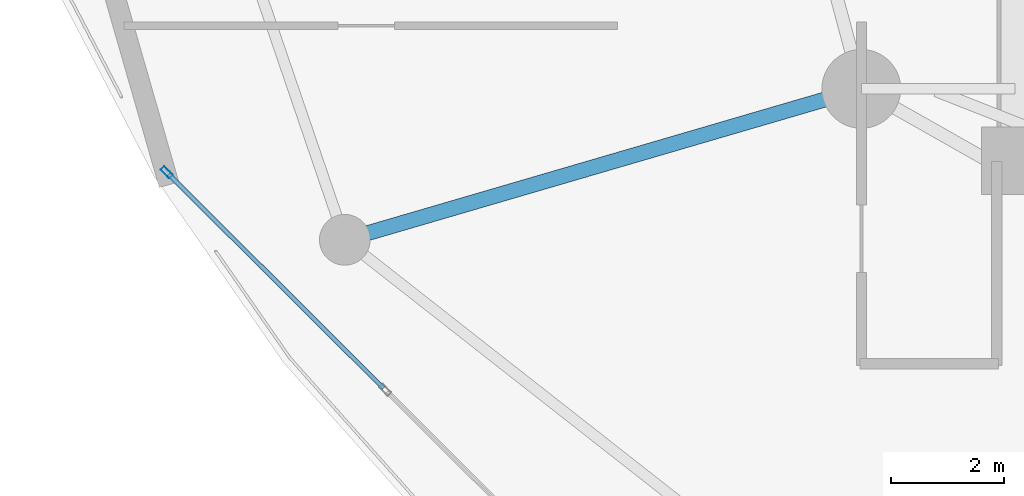
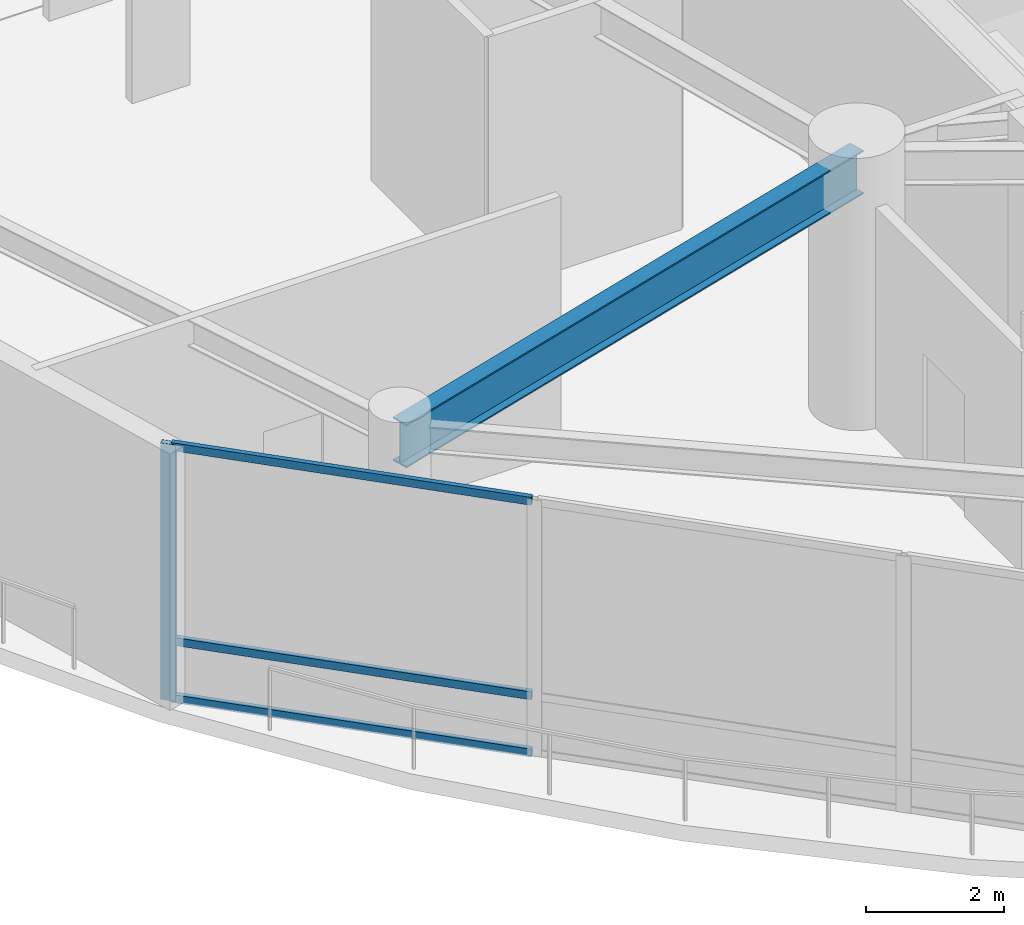
# One storey, part 4 of 40: 4 members, 1 beam, 1 element without a shape of its own.
"""IFC4 building model written with IfcOpenShell, lengths in metres."""

from ifc_helpers import new_model, si_unit, direction, frame, origin, origin_2d, place, context, subcontext, project, spatial, hollow_rectangle, i_section, extrude, material, layer, layer_set, material_profile, profile_set, type_object, element, aggregate, save


model = new_model("IFC4")

# Units and contexts
model_context = context("Model", 3, precision=1e-05, world=origin(), true_north=direction((0.0, 1.0)))
body_context = subcontext(model_context, "Body", "Model", "MODEL_VIEW")
ifc_project = project(units=[si_unit("LENGTHUNIT", "METRE"), si_unit("AREAUNIT", "SQUARE_METRE"), si_unit("VOLUMEUNIT", "CUBIC_METRE"), si_unit("PLANEANGLEUNIT", "RADIAN"), si_unit("MASSUNIT", "GRAM", prefix="KILO")], contexts=[model_context])

# Site, building, storey
site_placement = place(None, origin())
site = spatial("IfcSite", under=ifc_project, at=site_placement, CompositionType="ELEMENT")
building_placement = place(site_placement, origin())
building = spatial("IfcBuilding", under=site, at=building_placement, Name="Kazevale Care Tower and Concert Hall", CompositionType="ELEMENT")
storey_placement = place(building_placement, frame((0.0, 0.0, 4.800048828125)))
storey = spatial("IfcBuildingStorey", under=building, at=storey_placement, Name="L01", CompositionType="ELEMENT", Elevation=4.800048828125)

# Curtain wall, members
ifc_material_1 = material(Name="Aluminium 6063-T6 and Low-E Glass", Category="aluminium")
ifc_layer = layer(ifc_material_1, 0.179931640625)
ifc_layer_set = layer_set([ifc_layer], Name="Aluminium 6063-T6 and Low-E Glass")
curtain_wall_type = type_object("IfcCurtainWallType", Name="Podium Double-Skin Medical Curtain Wall CW-1", PredefinedType="NOTDEFINED", material=ifc_layer_set)
curtain_wall_placement = place(storey_placement, origin())
curtain_wall = element("IfcCurtainWall", 1, at=curtain_wall_placement, inside=storey, type_object=curtain_wall_type, Name="cw:L01:pod:09", PredefinedType="NOTDEFINED")
ifc_material_2 = material(Name="Aluminium 6063-T6", Category="aluminium")
ifc_material_profile_1 = material_profile(ifc_material_2, hollow_rectangle(XDim=0.090087890625, YDim=0.219970703125, WallThickness=0.0048828125, at=origin_2d()), Name="ALU90x220x5")
ifc_profile_set_1 = profile_set([ifc_material_profile_1], Name="Aluminium 6063-T6")
member_type_1 = type_object("IfcMemberType", Name="CW-1 Mullion ALU90x220x5", PredefinedType="MULLION", material=ifc_profile_set_1)
member_1_placement = place(storey_placement, frame((6.93896484375, 23.398193359375, 0.0), z_axis=(0.0, 0.0, 1.0), x_axis=(0.705655814257, 0.708554776856, 0.0)))
member_1 = element("IfcMember", 2, at=member_1_placement, type_object=member_type_1, Name="CW-1 mullion 1", PredefinedType="MULLION", context=body_context, shape_type="SweptSolid", body=[
    extrude(hollow_rectangle(XDim=0.090087890625, YDim=0.219970703125, WallThickness=0.0048828125, at=origin_2d()), origin(), (0.0, 0.0, 1.0), 4.52001953125),
])
ifc_material_profile_2 = material_profile(ifc_material_2, hollow_rectangle(XDim=0.080078125, YDim=0.139892578125, WallThickness=0.00390625, at=origin_2d()), Name="ALU80x140x4")
ifc_profile_set_2 = profile_set([ifc_material_profile_2], Name="Aluminium 6063-T6")
member_type_2 = type_object("IfcMemberType", Name="CW-1 Transom ALU80x140x4", PredefinedType="USERDEFINED", material=ifc_profile_set_2)
member_2_placement = place(storey_placement, frame((6.970703125, 23.366455078125, 0.0400390625), z_axis=(0.708578901075, -0.705631590103, 0.0), x_axis=(0.705631590103, 0.708578901075, 0.0)))
member_2 = element("IfcMember", 3, at=member_2_placement, type_object=member_type_2, Name="CW-1 transom 1.1", ObjectType="TRANSOM", PredefinedType="USERDEFINED", context=body_context, shape_type="SweptSolid", body=[
    extrude(hollow_rectangle(XDim=0.080078125, YDim=0.139892578125, WallThickness=0.00390625, at=origin_2d()), origin(), (0.0, 0.0, 1.0), 5.38427734375),
])
member_3_placement = place(storey_placement, frame((6.970703125, 23.366455078125, 1.050048828125), z_axis=(0.708578901075, -0.705631590103, 0.0), x_axis=(0.705631590103, 0.708578901075, 0.0)))
member_3 = element("IfcMember", 4, at=member_3_placement, type_object=member_type_2, Name="CW-1 transom 1.2", ObjectType="TRANSOM", PredefinedType="USERDEFINED", context=body_context, shape_type="SweptSolid", body=[
    extrude(hollow_rectangle(XDim=0.080078125, YDim=0.139892578125, WallThickness=0.00390625, at=origin_2d()), origin(), (0.0, 0.0, 1.0), 5.38427734375),
])
member_4_placement = place(storey_placement, frame((6.970703125, 23.366455078125, 4.47998046875), z_axis=(0.708578901075, -0.705631590103, 0.0), x_axis=(0.705631590103, 0.708578901075, 0.0)))
member_4 = element("IfcMember", 5, at=member_4_placement, type_object=member_type_2, Name="CW-1 transom 1.3", ObjectType="TRANSOM", PredefinedType="USERDEFINED", context=body_context, shape_type="SweptSolid", body=[
    extrude(hollow_rectangle(XDim=0.080078125, YDim=0.139892578125, WallThickness=0.00390625, at=origin_2d()), origin(), (0.0, 0.0, 1.0), 5.38427734375),
])
aggregate(curtain_wall, [member_1, member_2, member_3, member_4])

# Beam
ifc_material_3 = material(Name="Steel ASTM A572 Gr 50", Category="steel")
ifc_material_profile_3 = material_profile(ifc_material_3, i_section(OverallWidth=0.26806640625, OverallDepth=0.77001953125, WebThickness=0.015625, FlangeThickness=0.025390625, at=origin_2d()), Name="W760x196")
ifc_profile_set_3 = profile_set([ifc_material_profile_3], Name="Steel ASTM A572 Gr 50")
beam_type = type_object("IfcBeamType", Name="Podium Primary Girder W760x196", PredefinedType="BEAM", material=ifc_profile_set_3)
beam_placement = place(storey_placement, frame((19.27001953125, 24.8798828125, 4.135009765625), z_axis=(-0.959848737665, -0.28051809354, 0.0), x_axis=(0.28051809354, -0.959848737665, 0.0)))
element("IfcBeam", 6, at=beam_placement, inside=storey, type_object=beam_type, Name="beam:L01:podrad:08", PredefinedType="BEAM", context=body_context, shape_type="SweptSolid", body=[
    extrude(i_section(OverallWidth=0.26806640625, OverallDepth=0.77001953125, WebThickness=0.015625, FlangeThickness=0.025390625, at=origin_2d()), origin(), (0.0, 0.0, 1.0), 9.553466796875),
])

save(model, "model.ifc")
